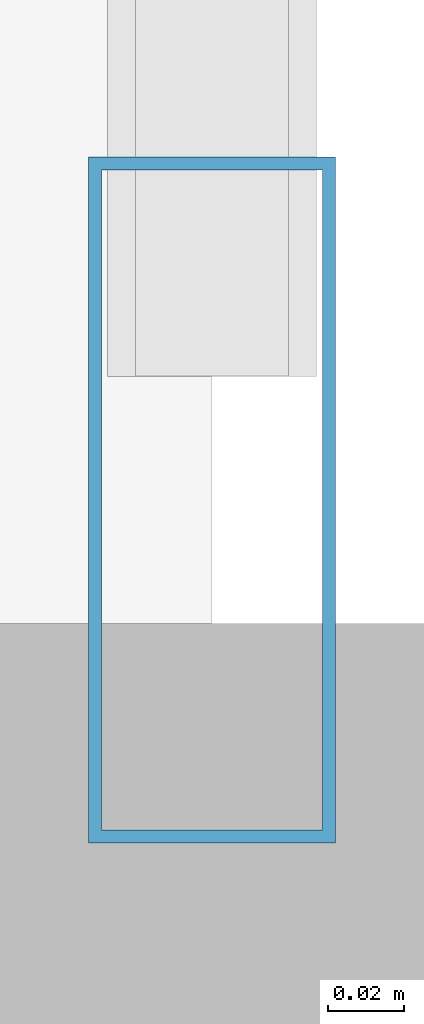
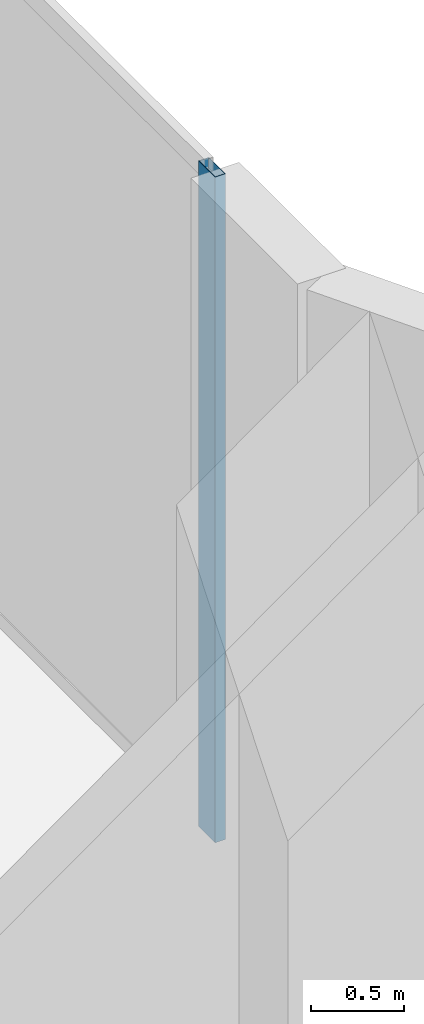
# One storey, part 15 of 33: 1 member, 1 element without a shape of its own.
"""IFC4 building model written with IfcOpenShell, lengths in metres."""

from ifc_helpers import new_model, si_unit, direction, frame, origin, origin_2d, place, context, subcontext, project, spatial, hollow_rectangle, extrude, material, layer, layer_set, material_profile, profile_set, type_object, element, aggregate, save


model = new_model("IFC4")

# Units and contexts
model_context = context("Model", 3, precision=1e-05, world=origin(), true_north=direction((0.0, 1.0)))
body_context = subcontext(model_context, "Body", "Model", "MODEL_VIEW")
ifc_project = project(units=[si_unit("LENGTHUNIT", "METRE"), si_unit("AREAUNIT", "SQUARE_METRE"), si_unit("VOLUMEUNIT", "CUBIC_METRE"), si_unit("PLANEANGLEUNIT", "RADIAN"), si_unit("MASSUNIT", "GRAM", prefix="KILO")], contexts=[model_context])

# Site, building, storey
site_placement = place(None, origin())
site = spatial("IfcSite", under=ifc_project, at=site_placement, CompositionType="ELEMENT")
building_placement = place(site_placement, origin())
building = spatial("IfcBuilding", under=site, at=building_placement, Name="Zuhayl Quay Hotel", CompositionType="ELEMENT")
storey_placement = place(building_placement, frame((0.0, 0.0, 168.199951171875)))
storey = spatial("IfcBuildingStorey", under=building, at=storey_placement, Name="L42", CompositionType="ELEMENT", Elevation=168.199951171875)

# Curtain wall, member
ifc_material_1 = material(Name="Anodised Aluminium 6063-T6", Category="aluminium")
ifc_layer = layer(ifc_material_1, 0.175048828125, Name="Anodised Aluminium 6063-T6", Category="aluminium")
ifc_layer_set = layer_set([ifc_layer], Name="Anodised Aluminium 6063-T6")
curtain_wall_type = type_object("IfcCurtainWallType", Name="CW_SYS_Z3", PredefinedType="USERDEFINED", material=ifc_layer_set)
curtain_wall_placement = place(storey_placement, origin())
curtain_wall = element("IfcCurtainWall", 1, at=curtain_wall_placement, inside=storey, type_object=curtain_wall_type, Name="L42 Curtain Wall ENV_L42_E11_CW1", ObjectType="UNITISED CURTAIN WALL", PredefinedType="USERDEFINED")
ifc_material_2 = material(Name="Black-anodised aluminium 6063-T6", Category="aluminium")
ifc_material_profile = material_profile(ifc_material_2, hollow_rectangle(XDim=0.06494140625, YDim=0.179931640625, WallThickness=0.00341796875, at=origin_2d()), Name="ALU180X65")
ifc_profile_set = profile_set([ifc_material_profile], Name="Black-anodised aluminium 6063-T6")
member_type = type_object("IfcMemberType", Name="MB_CW_MUL_180", PredefinedType="MULLION", material=ifc_profile_set)
member_placement = place(storey_placement, frame((22.10009765625, 18.982421875, 0.0), z_axis=(0.0, 0.0, 1.0), x_axis=(1.0, 0.0, 0.0)))
member = element("IfcMember", 2, at=member_placement, type_object=member_type, Name="CW-Z3 mullion 2", PredefinedType="MULLION", context=body_context, shape_type="SweptSolid", body=[
    extrude(hollow_rectangle(XDim=0.06494140625, YDim=0.179931640625, WallThickness=0.00341796875, at=origin_2d()), origin(), (0.0, 0.0, 1.0), 4.380126953125),
])
aggregate(curtain_wall, [member])

save(model, "model.ifc")
